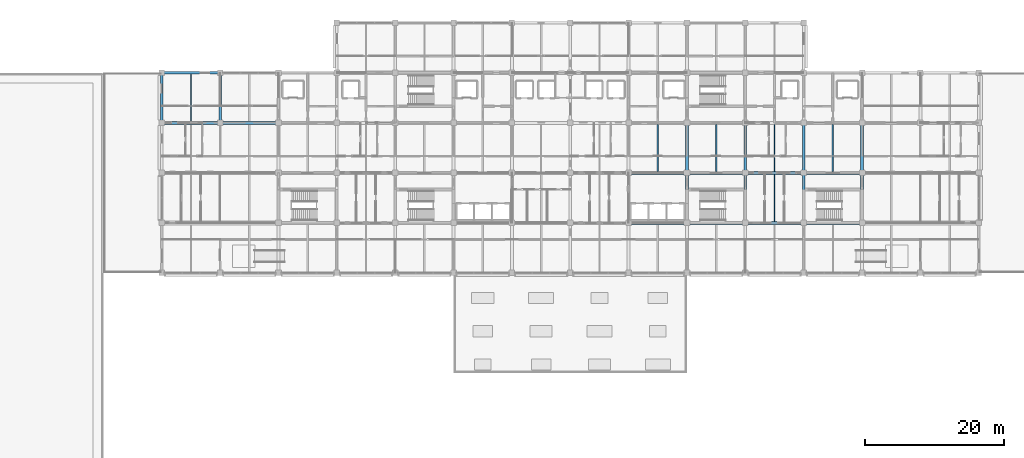
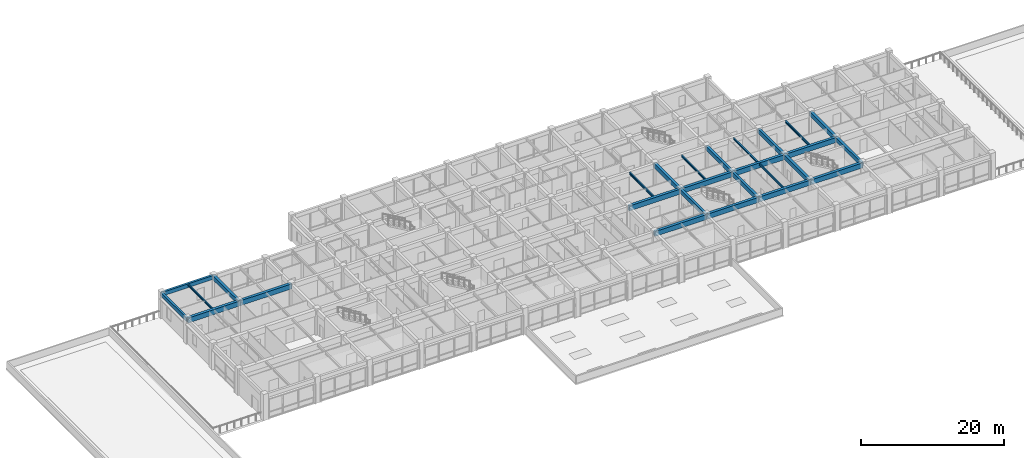
# One storey, part 8 of 40: 27 beams.
"""IFC4 building model written with IfcOpenShell, lengths in metres."""

import ifcopenshell
import ifcopenshell.guid

model = None  # the IFC model being written
_history = None  # IfcOwnerHistory: only IFC2X3 demands one
_inside = {}  # id of a spatial element -> (the spatial element, [elements in it])
_under = {}  # id of a project, library or spatial element -> (it, [spatial elements below it])
_declared = {}  # id of a project -> (the project, [libraries it declares])
_typed = {}  # id of a type object -> (the type object, [elements of that type])
_made_of = {}  # id of a material, layer set ... -> (it, [elements and type objects made of it])


def new_model(schema):
    """Start an empty IFC model of exactly this schema.

    Asked for "IFC4X3", IfcOpenShell would pick the latest addendum, in which some entities
    have other attributes; the version numbers below select the first issue.
    IFC2X3 requires an IfcOwnerHistory on every rooted entity: one is made here for all.
    """
    global model, _history
    if schema == "IFC4X3":
        model = ifcopenshell.file(schema_version=(4, 3, 0, 0))
    else:
        model = ifcopenshell.file(schema=schema)
    _inside.clear()
    _under.clear()
    _declared.clear()
    _typed.clear()
    _made_of.clear()
    _history = None
    if model.schema == "IFC2X3":
        org = make("IfcOrganization", Name="unknown")
        user = make(
            "IfcPersonAndOrganization",
            ThePerson=make("IfcPerson", FamilyName="unknown"),
            TheOrganization=org,
        )
        app = make(
            "IfcApplication",
            ApplicationDeveloper=org,
            Version="unknown",
            ApplicationFullName="unknown",
            ApplicationIdentifier="unknown",
        )
        _history = make(
            "IfcOwnerHistory",
            OwningUser=user,
            OwningApplication=app,
            ChangeAction="ADDED",
            CreationDate=0,
        )
    return model


def make(cls, **values):
    """One entity of the class cls with the attributes given. An attribute that is None is left unset."""
    return model.create_entity(
        cls, **{name: value for name, value in values.items() if value is not None}
    )


def rooted(cls, **values):
    """An entity with a GlobalId (a new one), such as an element, a storey or a relation."""
    return make(cls, GlobalId=ifcopenshell.guid.new(), OwnerHistory=_history, **values)


def si_unit(unit_type, name, prefix=None):
    """IfcSIUnit, for example si_unit("LENGTHUNIT", "METRE", prefix="MILLI")."""
    return make("IfcSIUnit", UnitType=unit_type, Prefix=prefix, Name=name)


def assignment(units):
    """IfcUnitAssignment: the units of a project."""
    return None if units is None else make("IfcUnitAssignment", Units=units)


def point(xyz):
    """IfcCartesianPoint."""
    return None if xyz is None else make("IfcCartesianPoint", Coordinates=xyz)


def direction(xyz):
    """IfcDirection."""
    return None if xyz is None else make("IfcDirection", DirectionRatios=xyz)


def frame(location, z_axis=None, x_axis=None):
    """IfcAxis2Placement3D, a coordinate frame: its origin and axes. An axis left out is left unset."""
    return make(
        "IfcAxis2Placement3D",
        Location=point(location),
        Axis=direction(z_axis),
        RefDirection=direction(x_axis),
    )


def frame_2d(location, x_axis=None):
    """IfcAxis2Placement2D, a coordinate frame in the plane: its origin and x axis."""
    return make(
        "IfcAxis2Placement2D", Location=point(location), RefDirection=direction(x_axis)
    )


def origin():
    """The frame at (0, 0, 0) with its axes left unset."""
    return frame((0.0, 0.0, 0.0))


def origin_2d():
    """The frame at (0, 0) in the plane with its x axis left unset."""
    return frame_2d((0.0, 0.0))


def place(relative_to, where):
    """IfcLocalPlacement: puts the frame where relative to a parent placement (None: the world)."""
    return make(
        "IfcLocalPlacement", PlacementRelTo=relative_to, RelativePlacement=where
    )


def context(
    kind, dimensions, precision=None, world=None, true_north=None, identifier=None
):
    """IfcGeometricRepresentationContext, for example the 3D "Model" context."""
    return make(
        "IfcGeometricRepresentationContext",
        ContextIdentifier=identifier,
        ContextType=kind,
        CoordinateSpaceDimension=dimensions,
        Precision=precision,
        WorldCoordinateSystem=world,
        TrueNorth=true_north,
    )


def subcontext(parent, identifier, kind, view, scale=None):
    """IfcGeometricRepresentationSubContext, for example "Body" below "Model"."""
    return make(
        "IfcGeometricRepresentationSubContext",
        ContextIdentifier=identifier,
        ContextType=kind,
        ParentContext=parent,
        TargetScale=scale,
        TargetView=view,
    )


def project(units=None, contexts=None):
    """IfcProject with its units and contexts."""
    return rooted(
        "IfcProject",
        Name="project",
        RepresentationContexts=contexts,
        UnitsInContext=assignment(units),
    )


def spatial(cls, under=None, at=None, **own):
    """A site, building, storey or space (cls), placed at a placement, below another one or the project."""
    s = rooted(cls, ObjectPlacement=at, **own)
    if under is not None:
        _under.setdefault(under.id(), (under, []))[1].append(s)
    return s


def profile(cls, at=None, kind="AREA", **sizes):
    """A parametric profile (cls). Its sizes go by their IFC names, for example OverallWidth=200.0."""
    return make(cls, ProfileType=kind, Position=at, **sizes)


def rectangle(**sizes):
    """IfcRectangleProfileDef."""
    return profile("IfcRectangleProfileDef", **sizes)


def i_section(**sizes):
    """IfcIShapeProfileDef."""
    return profile("IfcIShapeProfileDef", **sizes)


def extrude(swept, where, along, depth):
    """IfcExtrudedAreaSolid: the profile swept, set in the frame where, extruded along a direction by depth."""
    return make(
        "IfcExtrudedAreaSolid",
        SweptArea=swept,
        Position=where,
        ExtrudedDirection=direction(along),
        Depth=depth,
    )


def shape(context_of_items, identifier, shape_type, items):
    """IfcShapeRepresentation: the items that make up one representation, for example the "Body"."""
    return make(
        "IfcShapeRepresentation",
        ContextOfItems=context_of_items,
        RepresentationIdentifier=identifier,
        RepresentationType=shape_type,
        Items=items,
    )


def material(Name=None, Category=None):
    """IfcMaterial."""
    return make("IfcMaterial", Name=Name, Category=Category)


def material_profile(
    of_material, cross_section, Name=None, Category=None, Priority=None
):
    """IfcMaterialProfile: a cross section and its material."""
    return make(
        "IfcMaterialProfile",
        Name=Name,
        Material=of_material,
        Profile=cross_section,
        Priority=Priority,
        Category=Category,
    )


def profile_set(profiles, Name=None, composite=None):
    """IfcMaterialProfileSet."""
    return make(
        "IfcMaterialProfileSet",
        Name=Name,
        MaterialProfiles=profiles,
        CompositeProfile=composite,
    )


def made_of(thing, what):
    """Note that an element or type object is made of a material, layer set ...; save() writes the relation."""
    if what is not None:
        _made_of.setdefault(what.id(), (what, []))[1].append(thing)
    return thing


def type_object(cls, material=None, **own):
    """A type object (cls), such as IfcWallType, which elements share."""
    return made_of(rooted(cls, **own), material)


def element(
    cls,
    number,
    at=None,
    inside=None,
    cuts=None,
    type_object=None,
    material=None,
    context=None,
    identifier="Body",
    shape_type=None,
    held_by="IfcProductDefinitionShape",
    body=None,
    shapes=None,
    **own,
):
    """One element of the class cls, such as IfcWall. Its Tag is "e" and its number.

    at: its placement. inside: the storey or other place that contains it. cuts: it is an
    opening in that element (IfcRelVoidsElement). A single representation is given by context,
    identifier, shape_type and body (its items); several are given by shapes. held_by: the class
    of the entity that holds the representations. save() writes the other relations.
    """
    e = rooted(cls, Tag="e%d" % number, ObjectPlacement=at, **own)
    if body is not None:
        shapes = [shape(context, identifier, shape_type, body)]
    if shapes is not None:
        e.Representation = make(held_by, Representations=shapes)
    if inside is not None:
        _inside.setdefault(inside.id(), (inside, []))[1].append(e)
    if cuts is not None:
        rooted(
            "IfcRelVoidsElement", RelatingBuildingElement=cuts, RelatedOpeningElement=e
        )
    if type_object is not None:
        _typed.setdefault(type_object.id(), (type_object, []))[1].append(e)
    return made_of(e, material)


def aggregate(whole, parts):
    """IfcRelAggregates: a whole, such as a stair, and the parts it consists of."""
    return rooted("IfcRelAggregates", RelatingObject=whole, RelatedObjects=parts)


def save(model, path):
    """Write the relations noted so far, then the file.

    IfcRelAggregates (storeys below a building ...), IfcRelContainedInSpatialStructure (elements
    in a storey), IfcRelDefinesByType, IfcRelAssociatesMaterial and IfcRelDeclares: one each for
    every whole, place, type object, material and project.
    """
    for whole, parts in _under.values():
        aggregate(whole, parts)
    for where, things in _inside.values():
        rooted(
            "IfcRelContainedInSpatialStructure",
            RelatedElements=things,
            RelatingStructure=where,
        )
    for kind, things in _typed.values():
        rooted("IfcRelDefinesByType", RelatedObjects=things, RelatingType=kind)
    for what, things in _made_of.values():
        rooted("IfcRelAssociatesMaterial", RelatedObjects=things, RelatingMaterial=what)
    for by, libraries in _declared.values():
        rooted("IfcRelDeclares", RelatingContext=by, RelatedDefinitions=libraries)
    model.write(path)


model = new_model("IFC4")

# Units and contexts
model_context = context("Model", 3, precision=1e-05, world=origin(), true_north=direction((0.0, 1.0)))
body_context = subcontext(model_context, "Body", "Model", "MODEL_VIEW")
ifc_project = project(units=[si_unit("LENGTHUNIT", "METRE"), si_unit("AREAUNIT", "SQUARE_METRE"), si_unit("VOLUMEUNIT", "CUBIC_METRE"), si_unit("PLANEANGLEUNIT", "RADIAN"), si_unit("MASSUNIT", "GRAM", prefix="KILO")], contexts=[model_context])

# Site, building, storey
site_placement = place(None, origin())
site = spatial("IfcSite", under=ifc_project, at=site_placement, CompositionType="ELEMENT")
building_placement = place(site_placement, origin())
building = spatial("IfcBuilding", under=site, at=building_placement, Name="Chengyuan Square Courthouse", CompositionType="ELEMENT")
storey_placement = place(building_placement, frame((0.0, 0.0, 21.60009765625)))
storey = spatial("IfcBuildingStorey", under=building, at=storey_placement, Name="L05", CompositionType="ELEMENT", Elevation=21.60009765625)

# Beams
ifc_material_1 = material(Name="Concrete C40", Category="concrete")
ifc_material_profile_1 = material_profile(ifc_material_1, rectangle(XDim=0.449951171875, YDim=0.85009765625, at=origin_2d()), Name="RC-BM-450x850")
ifc_profile_set_1 = profile_set([ifc_material_profile_1], Name="Concrete C40")
beam_type_1 = type_object("IfcBeamType", Name="BM-01", PredefinedType="USERDEFINED", material=ifc_profile_set_1)
beam_1_placement = place(storey_placement, frame((92.39990234375, 86.39990234375, 3.81494140625), z_axis=(1.0, 0.0, 0.0), x_axis=(0.0, 1.0, 0.0)))
element("IfcBeam", 1, at=beam_1_placement, inside=storey, type_object=beam_type_1, Name="Girder BM-L05-3216", ObjectType="GIRDER", PredefinedType="USERDEFINED", context=body_context, shape_type="SweptSolid", body=[
    extrude(rectangle(XDim=0.449951171875, YDim=0.85009765625, at=origin_2d()), origin(), (0.0, 0.0, 1.0), 8.400146484375),
])
beam_2_placement = place(storey_placement, frame((100.800048828125, 86.39990234375, 3.81494140625), z_axis=(1.0, 0.0, 0.0), x_axis=(0.0, 1.0, 0.0)))
element("IfcBeam", 2, at=beam_2_placement, inside=storey, type_object=beam_type_1, Name="Girder BM-L05-3217", ObjectType="GIRDER", PredefinedType="USERDEFINED", context=body_context, shape_type="SweptSolid", body=[
    extrude(rectangle(XDim=0.449951171875, YDim=0.85009765625, at=origin_2d()), origin(), (0.0, 0.0, 1.0), 8.39990234375),
])
beam_3_placement = place(storey_placement, frame((109.199951171875, 86.39990234375, 3.81494140625), z_axis=(1.0, 0.0, 0.0), x_axis=(0.0, 1.0, 0.0)))
element("IfcBeam", 3, at=beam_3_placement, inside=storey, type_object=beam_type_1, Name="Girder BM-L05-3218", ObjectType="GIRDER", PredefinedType="USERDEFINED", context=body_context, shape_type="SweptSolid", body=[
    extrude(rectangle(XDim=0.449951171875, YDim=0.85009765625, at=origin_2d()), origin(), (0.0, 0.0, 1.0), 8.400146484375),
])
beam_4_placement = place(storey_placement, frame((117.60009765625, 86.39990234375, 3.81494140625), z_axis=(1.0, 0.0, 0.0), x_axis=(0.0, 1.0, 0.0)))
element("IfcBeam", 4, at=beam_4_placement, inside=storey, type_object=beam_type_1, Name="Girder BM-L05-3219", ObjectType="GIRDER", PredefinedType="USERDEFINED", context=body_context, shape_type="SweptSolid", body=[
    extrude(rectangle(XDim=0.449951171875, YDim=0.85009765625, at=origin_2d()), origin(), (0.0, 0.0, 1.0), 8.39990234375),
])
beam_5_placement = place(storey_placement, frame((92.39990234375, 93.60009765625, 3.81494140625), z_axis=(1.0, 0.0, 0.0), x_axis=(0.0, 1.0, 0.0)))
element("IfcBeam", 5, at=beam_5_placement, inside=storey, type_object=beam_type_1, Name="Girder BM-L05-3228", ObjectType="GIRDER", PredefinedType="USERDEFINED", context=body_context, shape_type="SweptSolid", body=[
    extrude(rectangle(XDim=0.449951171875, YDim=0.85009765625, at=origin_2d()), origin(), (0.0, 0.0, 1.0), 8.400146484375),
])
beam_6_placement = place(storey_placement, frame((100.800048828125, 93.60009765625, 3.81494140625), z_axis=(1.0, 0.0, 0.0), x_axis=(0.0, 1.0, 0.0)))
element("IfcBeam", 6, at=beam_6_placement, inside=storey, type_object=beam_type_1, Name="Girder BM-L05-3229", ObjectType="GIRDER", PredefinedType="USERDEFINED", context=body_context, shape_type="SweptSolid", body=[
    extrude(rectangle(XDim=0.449951171875, YDim=0.85009765625, at=origin_2d()), origin(), (0.0, 0.0, 1.0), 8.39990234375),
])
beam_7_placement = place(storey_placement, frame((109.199951171875, 93.60009765625, 3.81494140625), z_axis=(1.0, 0.0, 0.0), x_axis=(0.0, 1.0, 0.0)))
element("IfcBeam", 7, at=beam_7_placement, inside=storey, type_object=beam_type_1, Name="Girder BM-L05-3230", ObjectType="GIRDER", PredefinedType="USERDEFINED", context=body_context, shape_type="SweptSolid", body=[
    extrude(rectangle(XDim=0.449951171875, YDim=0.85009765625, at=origin_2d()), origin(), (0.0, 0.0, 1.0), 8.400146484375),
])
beam_8_placement = place(storey_placement, frame((117.60009765625, 93.60009765625, 3.81494140625), z_axis=(1.0, 0.0, 0.0), x_axis=(0.0, 1.0, 0.0)))
element("IfcBeam", 8, at=beam_8_placement, inside=storey, type_object=beam_type_1, Name="Girder BM-L05-3231", ObjectType="GIRDER", PredefinedType="USERDEFINED", context=body_context, shape_type="SweptSolid", body=[
    extrude(rectangle(XDim=0.449951171875, YDim=0.85009765625, at=origin_2d()), origin(), (0.0, 0.0, 1.0), 8.39990234375),
])
beam_9_placement = place(storey_placement, frame((25.199951171875, 100.800048828125, 3.81494140625), z_axis=(1.0, 0.0, 0.0), x_axis=(0.0, 1.0, 0.0)))
element("IfcBeam", 9, at=beam_9_placement, inside=storey, type_object=beam_type_1, Name="Girder BM-L05-3233", ObjectType="GIRDER", PredefinedType="USERDEFINED", context=body_context, shape_type="SweptSolid", body=[
    extrude(rectangle(XDim=0.449951171875, YDim=0.85009765625, at=origin_2d()), origin(), (0.0, 0.0, 1.0), 8.400146484375),
])
beam_10_placement = place(storey_placement, frame((33.60009765625, 100.800048828125, 3.81494140625), z_axis=(1.0, 0.0, 0.0), x_axis=(0.0, 1.0, 0.0)))
element("IfcBeam", 10, at=beam_10_placement, inside=storey, type_object=beam_type_1, Name="Girder BM-L05-3234", ObjectType="GIRDER", PredefinedType="USERDEFINED", context=body_context, shape_type="SweptSolid", body=[
    extrude(rectangle(XDim=0.449951171875, YDim=0.85009765625, at=origin_2d()), origin(), (0.0, 0.0, 1.0), 8.39990234375),
])
ifc_material_profile_2 = material_profile(ifc_material_1, rectangle(XDim=0.39990234375, YDim=0.75, at=origin_2d()), Name="RC-BM-400x750")
ifc_profile_set_2 = profile_set([ifc_material_profile_2], Name="Concrete C40")
beam_type_2 = type_object("IfcBeamType", Name="BM-02", PredefinedType="USERDEFINED", material=ifc_profile_set_2)
beam_11_placement = place(storey_placement, frame((33.60009765625, 100.800048828125, 3.864990234375), z_axis=(0.0, 1.0, 0.0), x_axis=(-1.0, 0.0, 0.0)))
element("IfcBeam", 11, at=beam_11_placement, inside=storey, type_object=beam_type_2, Name="Girder BM-L05-3273", ObjectType="GIRDER", PredefinedType="USERDEFINED", context=body_context, shape_type="SweptSolid", body=[
    extrude(rectangle(XDim=0.39990234375, YDim=0.75, at=origin_2d()), origin(), (0.0, 0.0, 1.0), 7.199951171875),
])
beam_12_placement = place(storey_placement, frame((100.800048828125, 86.39990234375, 3.864990234375), z_axis=(0.0, 1.0, 0.0), x_axis=(-1.0, 0.0, 0.0)))
element("IfcBeam", 12, at=beam_12_placement, inside=storey, type_object=beam_type_2, Name="Girder BM-L05-3309", ObjectType="GIRDER", PredefinedType="USERDEFINED", context=body_context, shape_type="SweptSolid", body=[
    extrude(rectangle(XDim=0.39990234375, YDim=0.75, at=origin_2d()), origin(), (0.0, 0.0, 1.0), 7.2001953125),
])
beam_13_placement = place(storey_placement, frame((100.800048828125, 93.60009765625, 3.864990234375), z_axis=(0.0, 1.0, 0.0), x_axis=(-1.0, 0.0, 0.0)))
element("IfcBeam", 13, at=beam_13_placement, inside=storey, type_object=beam_type_2, Name="Girder BM-L05-3310", ObjectType="GIRDER", PredefinedType="USERDEFINED", context=body_context, shape_type="SweptSolid", body=[
    extrude(rectangle(XDim=0.39990234375, YDim=0.75, at=origin_2d()), origin(), (0.0, 0.0, 1.0), 7.199951171875),
])
beam_14_placement = place(storey_placement, frame((109.199951171875, 86.39990234375, 3.864990234375), z_axis=(0.0, 1.0, 0.0), x_axis=(-1.0, 0.0, 0.0)))
element("IfcBeam", 14, at=beam_14_placement, inside=storey, type_object=beam_type_2, Name="Girder BM-L05-3314", ObjectType="GIRDER", PredefinedType="USERDEFINED", context=body_context, shape_type="SweptSolid", body=[
    extrude(rectangle(XDim=0.39990234375, YDim=0.75, at=origin_2d()), origin(), (0.0, 0.0, 1.0), 7.2001953125),
])
beam_15_placement = place(storey_placement, frame((109.199951171875, 93.60009765625, 3.864990234375), z_axis=(0.0, 1.0, 0.0), x_axis=(-1.0, 0.0, 0.0)))
element("IfcBeam", 15, at=beam_15_placement, inside=storey, type_object=beam_type_2, Name="Girder BM-L05-3315", ObjectType="GIRDER", PredefinedType="USERDEFINED", context=body_context, shape_type="SweptSolid", body=[
    extrude(rectangle(XDim=0.39990234375, YDim=0.75, at=origin_2d()), origin(), (0.0, 0.0, 1.0), 7.199951171875),
])
beam_16_placement = place(storey_placement, frame((117.60009765625, 86.39990234375, 3.864990234375), z_axis=(0.0, 1.0, 0.0), x_axis=(-1.0, 0.0, 0.0)))
element("IfcBeam", 16, at=beam_16_placement, inside=storey, type_object=beam_type_2, Name="Girder BM-L05-3319", ObjectType="GIRDER", PredefinedType="USERDEFINED", context=body_context, shape_type="SweptSolid", body=[
    extrude(rectangle(XDim=0.39990234375, YDim=0.75, at=origin_2d()), origin(), (0.0, 0.0, 1.0), 7.2001953125),
])
beam_17_placement = place(storey_placement, frame((117.60009765625, 93.60009765625, 3.864990234375), z_axis=(0.0, 1.0, 0.0), x_axis=(-1.0, 0.0, 0.0)))
element("IfcBeam", 17, at=beam_17_placement, inside=storey, type_object=beam_type_2, Name="Girder BM-L05-3320", ObjectType="GIRDER", PredefinedType="USERDEFINED", context=body_context, shape_type="SweptSolid", body=[
    extrude(rectangle(XDim=0.39990234375, YDim=0.75, at=origin_2d()), origin(), (0.0, 0.0, 1.0), 7.199951171875),
])
beam_18_placement = place(storey_placement, frame((126.0, 86.39990234375, 3.864990234375), z_axis=(0.0, 1.0, 0.0), x_axis=(-1.0, 0.0, 0.0)))
element("IfcBeam", 18, at=beam_18_placement, inside=storey, type_object=beam_type_2, Name="Girder BM-L05-3324", ObjectType="GIRDER", PredefinedType="USERDEFINED", context=body_context, shape_type="SweptSolid", body=[
    extrude(rectangle(XDim=0.39990234375, YDim=0.75, at=origin_2d()), origin(), (0.0, 0.0, 1.0), 7.2001953125),
])
beam_19_placement = place(storey_placement, frame((126.0, 93.60009765625, 3.864990234375), z_axis=(0.0, 1.0, 0.0), x_axis=(-1.0, 0.0, 0.0)))
element("IfcBeam", 19, at=beam_19_placement, inside=storey, type_object=beam_type_2, Name="Girder BM-L05-3325", ObjectType="GIRDER", PredefinedType="USERDEFINED", context=body_context, shape_type="SweptSolid", body=[
    extrude(rectangle(XDim=0.39990234375, YDim=0.75, at=origin_2d()), origin(), (0.0, 0.0, 1.0), 7.199951171875),
])
ifc_material_profile_3 = material_profile(ifc_material_1, rectangle(XDim=0.35009765625, YDim=0.64990234375, at=origin_2d()), Name="RC-BM-350x650")
ifc_profile_set_3 = profile_set([ifc_material_profile_3], Name="Concrete C40")
beam_type_3 = type_object("IfcBeamType", Name="BM-03", PredefinedType="SPANDREL", material=ifc_profile_set_3)
beam_20_placement = place(storey_placement, frame((25.199951171875, 108.0, 3.914794921875), z_axis=(1.0, 0.0, 0.0), x_axis=(0.0, 1.0, 0.0)))
element("IfcBeam", 20, at=beam_20_placement, inside=storey, type_object=beam_type_3, Name="Girder BM-L05-3247", PredefinedType="SPANDREL", context=body_context, shape_type="SweptSolid", body=[
    extrude(rectangle(XDim=0.35009765625, YDim=0.64990234375, at=origin_2d()), origin(), (0.0, 0.0, 1.0), 8.400146484375),
])
beam_21_placement = place(storey_placement, frame((25.199951171875, 100.800048828125, 3.914794921875), z_axis=(0.0, 1.0, 0.0), x_axis=(-1.0, 0.0, 0.0)))
element("IfcBeam", 21, at=beam_21_placement, inside=storey, type_object=beam_type_3, Name="Girder BM-L05-3272", PredefinedType="SPANDREL", context=body_context, shape_type="SweptSolid", body=[
    extrude(rectangle(XDim=0.35009765625, YDim=0.64990234375, at=origin_2d()), origin(), (0.0, 0.0, 1.0), 7.199951171875),
])
ifc_material_2 = material(Name="Steel Q355B", Category="steel")
ifc_material_profile_4 = material_profile(ifc_material_2, i_section(OverallWidth=0.199951171875, OverallDepth=0.39990234375, WebThickness=0.008056640625, FlangeThickness=0.012939453125, at=origin_2d()), Name="HN 400x200x8x13")
ifc_profile_set_4 = profile_set([ifc_material_profile_4], Name="Steel Q355B")
beam_type_4 = type_object("IfcBeamType", Name="BM-07", PredefinedType="BEAM", material=ifc_profile_set_4)
for number, where, z_axis, x_axis, name in (
    (22, (96.60009765625, 93.824951171875, 4.039794921875), (0.0, 1.0, 0.0), (-1.0, 0.0, 0.0), "Secondary Floor Beam SBM-L05-3364"),
    (23, (121.800048828125, 93.824951171875, 4.039794921875), (0.0, 1.0, 0.0), (-1.0, 0.0, 0.0), "Secondary Floor Beam SBM-L05-3376"),
):
    element("IfcBeam", number, at=place(storey_placement, frame(where, z_axis=z_axis, x_axis=x_axis)), inside=storey, type_object=beam_type_4, Name=name, PredefinedType="BEAM", context=body_context, shape_type="SweptSolid", body=[
        extrude(i_section(OverallWidth=0.199951171875, OverallDepth=0.39990234375, WebThickness=0.008056640625, FlangeThickness=0.012939453125, at=origin_2d()), origin(), (0.0, 0.0, 1.0), 6.75),
    ])
ifc_material_profile_5 = material_profile(ifc_material_2, i_section(OverallWidth=0.175048828125, OverallDepth=0.35009765625, WebThickness=0.007080078125, FlangeThickness=0.010986328125, at=origin_2d()), Name="HN 350x175x7x11")
ifc_profile_set_5 = profile_set([ifc_material_profile_5], Name="Steel Q355B")
beam_type_5 = type_object("IfcBeamType", Name="BM-08", PredefinedType="BEAM", material=ifc_profile_set_5)
for number, where, z_axis, x_axis, name in (
    (24, (105.0, 93.824951171875, 4.06494140625), (0.0, 1.0, 0.0), (-1.0, 0.0, 0.0), "Secondary Floor Beam SBM-L05-3368"),
    (25, (113.39990234375, 86.625, 4.06494140625), (0.0, 1.0, 0.0), (-1.0, 0.0, 0.0), "Secondary Floor Beam SBM-L05-3371"),
):
    element("IfcBeam", number, at=place(storey_placement, frame(where, z_axis=z_axis, x_axis=x_axis)), inside=storey, type_object=beam_type_5, Name=name, PredefinedType="BEAM", context=body_context, shape_type="SweptSolid", body=[
        extrude(i_section(OverallWidth=0.175048828125, OverallDepth=0.35009765625, WebThickness=0.007080078125, FlangeThickness=0.010986328125, at=origin_2d()), origin(), (0.0, 0.0, 1.0), 6.75),
    ])
ifc_material_profile_6 = material_profile(ifc_material_2, i_section(OverallWidth=0.199951171875, OverallDepth=0.300048828125, WebThickness=0.008056640625, FlangeThickness=0.011962890625, at=origin_2d()), Name="HM 300x200x8x12")
ifc_profile_set_6 = profile_set([ifc_material_profile_6], Name="Steel Q355B")
beam_type_6 = type_object("IfcBeamType", Name="BM-09", PredefinedType="BEAM", material=ifc_profile_set_6)
beam_22_placement = place(storey_placement, frame((29.39990234375, 101.02490234375, 4.08984375), z_axis=(0.0, 1.0, 0.0), x_axis=(-1.0, 0.0, 0.0)))
element("IfcBeam", 26, at=beam_22_placement, inside=storey, type_object=beam_type_6, Name="Secondary Floor Beam SBM-L05-3335", PredefinedType="BEAM", context=body_context, shape_type="SweptSolid", body=[
    extrude(i_section(OverallWidth=0.199951171875, OverallDepth=0.300048828125, WebThickness=0.008056640625, FlangeThickness=0.011962890625, at=origin_2d()), origin(), (0.0, 0.0, 1.0), 6.800048828125),
])
beam_23_placement = place(storey_placement, frame((113.39990234375, 93.824951171875, 4.08984375), z_axis=(0.0, 1.0, 0.0), x_axis=(-1.0, 0.0, 0.0)))
element("IfcBeam", 27, at=beam_23_placement, inside=storey, type_object=beam_type_6, Name="Secondary Floor Beam SBM-L05-3372", PredefinedType="BEAM", context=body_context, shape_type="SweptSolid", body=[
    extrude(i_section(OverallWidth=0.199951171875, OverallDepth=0.300048828125, WebThickness=0.008056640625, FlangeThickness=0.011962890625, at=origin_2d()), origin(), (0.0, 0.0, 1.0), 6.75),
])

save(model, "model.ifc")
